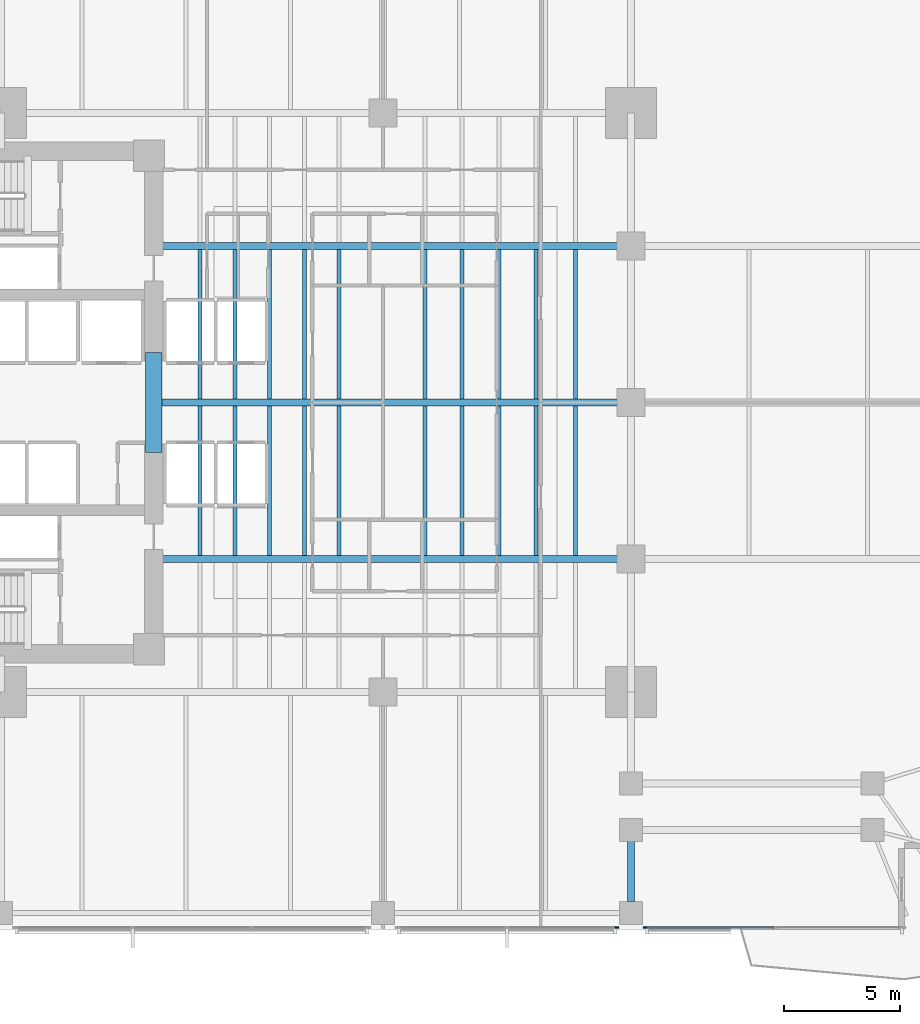
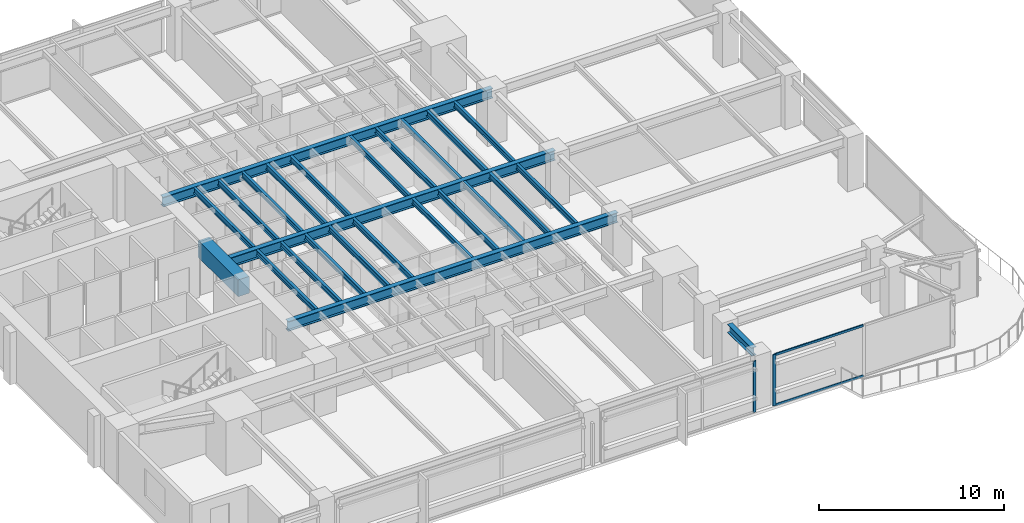
# One storey, part 3 of 15: 25 beams, 4 members, 2 elements without a shape of their own.
"""IFC4 building model written with IfcOpenShell, lengths in metres."""

from ifc_helpers import new_model, si_unit, direction, frame, origin, origin_2d, place, context, subcontext, project, spatial, rectangle, i_section, extrude, material, layer, layer_set, material_profile, profile_set, type_object, element, aggregate, save


model = new_model("IFC4")

# Units and contexts
model_context = context("Model", 3, precision=1e-05, world=origin(), true_north=direction((0.0, 1.0)))
body_context = subcontext(model_context, "Body", "Model", "MODEL_VIEW")
ifc_project = project(units=[si_unit("LENGTHUNIT", "METRE"), si_unit("AREAUNIT", "SQUARE_METRE"), si_unit("VOLUMEUNIT", "CUBIC_METRE"), si_unit("PLANEANGLEUNIT", "RADIAN"), si_unit("MASSUNIT", "GRAM", prefix="KILO")], contexts=[model_context])

# Site, building, storey
site_placement = place(None, origin())
site = spatial("IfcSite", under=ifc_project, at=site_placement, CompositionType="ELEMENT")
building_placement = place(site_placement, origin())
building = spatial("IfcBuilding", under=site, at=building_placement, Name="Kinhvarn Gate Tower", CompositionType="ELEMENT")
storey_placement = place(building_placement, frame((0.0, 0.0, 36.25)))
storey = spatial("IfcBuildingStorey", under=building, at=storey_placement, Name="L08", CompositionType="ELEMENT", Elevation=36.25)

# Beam
ifc_material_1 = material(Name="Concrete C70/85", Category="concrete")
ifc_material_profile_1 = material_profile(ifc_material_1, rectangle(XDim=0.699951171875, YDim=1.10009765625, at=origin_2d()), Name="RC 700x1100")
ifc_profile_set_1 = profile_set([ifc_material_profile_1], Name="Concrete C70/85")
beam_type_1 = type_object("IfcBeamType", Name="BM-CB-1100", PredefinedType="LINTEL", material=ifc_profile_set_1)
beam_1_placement = place(storey_placement, frame((17.60009765625, 23.10009765625, 2.820068359375), z_axis=(0.0, 1.0, 0.0), x_axis=(-1.0, 0.0, 0.0)))
element("IfcBeam", 1, at=beam_1_placement, inside=storey, type_object=beam_type_1, Name="Core East Portal Coupling Beam L08", PredefinedType="LINTEL", context=body_context, shape_type="SweptSolid", body=[
    extrude(rectangle(XDim=0.699951171875, YDim=1.10009765625, at=origin_2d()), origin(), (0.0, 0.0, 1.0), 4.2998046875),
])

# Curtain wall, member
ifc_material_2 = material(Name="Anodised aluminium AW-6063", Category="aluminium")
ifc_layer = layer(ifc_material_2, 0.179931640625)
ifc_layer_set = layer_set([ifc_layer], Name="Anodised aluminium AW-6063")
curtain_wall_type = type_object("IfcCurtainWallType", Name="CW-SYS-2", PredefinedType="NOTDEFINED", material=ifc_layer_set)
curtain_wall_1_placement = place(storey_placement, origin())
curtain_wall_1 = element("IfcCurtainWall", 2, at=curtain_wall_1_placement, inside=storey, type_object=curtain_wall_type, Name="Curtain Wall CW2 (L08)", PredefinedType="NOTDEFINED")
ifc_material_profile_2 = material_profile(ifc_material_2, rectangle(XDim=0.070068359375, YDim=0.179931640625, at=origin_2d()), Name="ALU 70x180")
ifc_profile_set_2 = profile_set([ifc_material_profile_2], Name="Anodised aluminium AW-6063")
member_type_1 = type_object("IfcMemberType", Name="CW-MUL-180", PredefinedType="MULLION", material=ifc_profile_set_2)
member_1_placement = place(storey_placement, frame((37.5849609375, 2.590087890625, 0.0), z_axis=(0.0, 0.0, 1.0), x_axis=(0.0, 1.0, 0.0)))
member_1 = element("IfcMember", 3, at=member_1_placement, type_object=member_type_1, Name="CW2 mullion 3", PredefinedType="MULLION", context=body_context, shape_type="SweptSolid", body=[
    extrude(rectangle(XDim=0.070068359375, YDim=0.179931640625, at=origin_2d()), origin(), (0.0, 0.0, 1.0), 3.3701171875),
])
aggregate(curtain_wall_1, [member_1])

# Curtain wall, members
curtain_wall_2_placement = place(storey_placement, origin())
curtain_wall_2 = element("IfcCurtainWall", 4, at=curtain_wall_2_placement, inside=storey, type_object=curtain_wall_type, Name="Curtain Wall CW2 (L08)", PredefinedType="NOTDEFINED")
member_2_placement = place(storey_placement, frame((38.81494140625, 2.590087890625, 0.0), z_axis=(0.0, 0.0, 1.0), x_axis=(0.0, 1.0, 0.0)))
member_2 = element("IfcMember", 5, at=member_2_placement, type_object=member_type_1, Name="CW2 mullion 1", PredefinedType="MULLION", context=body_context, shape_type="SweptSolid", body=[
    extrude(rectangle(XDim=0.070068359375, YDim=0.179931640625, at=origin_2d()), origin(), (0.0, 0.0, 1.0), 3.3701171875),
])
ifc_material_profile_3 = material_profile(ifc_material_2, rectangle(XDim=0.070068359375, YDim=0.139892578125, at=origin_2d()), Name="ALU 70x140")
ifc_profile_set_3 = profile_set([ifc_material_profile_3], Name="Anodised aluminium AW-6063")
member_type_2 = type_object("IfcMemberType", Name="CW-TRN-140", PredefinedType="USERDEFINED", material=ifc_profile_set_3)
member_3_placement = place(storey_placement, frame((38.85009765625, 2.590087890625, 0.034912109375), z_axis=(1.0, 0.0, 0.0), x_axis=(0.0, 1.0, 0.0)))
member_3 = element("IfcMember", 6, at=member_3_placement, type_object=member_type_2, Name="CW2 transom 1.1", ObjectType="TRANSOM", PredefinedType="USERDEFINED", context=body_context, shape_type="SweptSolid", body=[
    extrude(rectangle(XDim=0.070068359375, YDim=0.139892578125, at=origin_2d()), origin(), (0.0, 0.0, 1.0), 5.5048828125),
])
member_4_placement = place(storey_placement, frame((38.85009765625, 2.590087890625, 3.3349609375), z_axis=(1.0, 0.0, 0.0), x_axis=(0.0, 1.0, 0.0)))
member_4 = element("IfcMember", 7, at=member_4_placement, type_object=member_type_2, Name="CW2 transom 1.2", ObjectType="TRANSOM", PredefinedType="USERDEFINED", context=body_context, shape_type="SweptSolid", body=[
    extrude(rectangle(XDim=0.070068359375, YDim=0.139892578125, at=origin_2d()), origin(), (0.0, 0.0, 1.0), 5.5048828125),
])
aggregate(curtain_wall_2, [member_2, member_3, member_4])

# Beams
ifc_material_3 = material(Name="Steel S355", Category="steel")
ifc_material_profile_4 = material_profile(ifc_material_3, i_section(OverallWidth=0.300048828125, OverallDepth=0.550048828125, WebThickness=0.014892578125, FlangeThickness=0.029052734375, at=origin_2d()), Name="HEB 550")
ifc_profile_set_4 = profile_set([ifc_material_profile_4], Name="Steel S355")
beam_type_2 = type_object("IfcBeamType", Name="STL-HEB550", PredefinedType="BEAM", material=ifc_profile_set_4)
beam_2_placement = place(storey_placement, frame((38.199951171875, 3.705078125, 3.094970703125), z_axis=(0.0, 1.0, 0.0), x_axis=(-1.0, 0.0, 0.0)))
element("IfcBeam", 8, at=beam_2_placement, inside=storey, type_object=beam_type_2, Name="Floor Beam PG-15 (L08 MCE-S-A0)", PredefinedType="BEAM", context=body_context, shape_type="SweptSolid", body=[
    extrude(i_section(OverallWidth=0.300048828125, OverallDepth=0.550048828125, WebThickness=0.014892578125, FlangeThickness=0.029052734375, at=origin_2d()), origin(), (0.0, 0.0, 1.0), 2.60986328125),
])
ifc_material_profile_5 = material_profile(ifc_material_3, i_section(OverallWidth=0.300048828125, OverallDepth=0.64990234375, WebThickness=0.01611328125, FlangeThickness=0.031005859375, at=origin_2d()), Name="HEB 650")
ifc_profile_set_5 = profile_set([ifc_material_profile_5], Name="Steel S355")
beam_type_3 = type_object("IfcBeamType", Name="STL-HEB650", PredefinedType="BEAM", material=ifc_profile_set_5)
beam_3_placement = place(storey_placement, frame((17.64990234375, 18.5, 3.044921875), z_axis=(1.0, 0.0, 0.0), x_axis=(0.0, 1.0, 0.0)))
element("IfcBeam", 9, at=beam_3_placement, inside=storey, type_object=beam_type_3, Name="Floor Beam PG-17 (L08 EW1-Y18)", PredefinedType="BEAM", context=body_context, shape_type="SweptSolid", body=[
    extrude(i_section(OverallWidth=0.300048828125, OverallDepth=0.64990234375, WebThickness=0.01611328125, FlangeThickness=0.031005859375, at=origin_2d()), origin(), (0.0, 0.0, 1.0), 20.550048828125),
])
beam_4_placement = place(storey_placement, frame((17.949951171875, 25.25, 3.044921875), z_axis=(1.0, 0.0, 0.0), x_axis=(0.0, 1.0, 0.0)))
element("IfcBeam", 10, at=beam_4_placement, inside=storey, type_object=beam_type_3, Name="Floor Beam PG-17 (L08 EW1-Y25)", PredefinedType="BEAM", context=body_context, shape_type="SweptSolid", body=[
    extrude(i_section(OverallWidth=0.300048828125, OverallDepth=0.64990234375, WebThickness=0.01611328125, FlangeThickness=0.031005859375, at=origin_2d()), origin(), (0.0, 0.0, 1.0), 20.25),
])
beam_5_placement = place(storey_placement, frame((17.64990234375, 32.0, 3.044921875), z_axis=(1.0, 0.0, 0.0), x_axis=(0.0, 1.0, 0.0)))
element("IfcBeam", 11, at=beam_5_placement, inside=storey, type_object=beam_type_3, Name="Floor Beam PG-17 (L08 EW1-Y32)", PredefinedType="BEAM", context=body_context, shape_type="SweptSolid", body=[
    extrude(i_section(OverallWidth=0.300048828125, OverallDepth=0.64990234375, WebThickness=0.01611328125, FlangeThickness=0.031005859375, at=origin_2d()), origin(), (0.0, 0.0, 1.0), 20.550048828125),
])
ifc_material_profile_6 = material_profile(ifc_material_3, i_section(OverallWidth=0.169921875, OverallDepth=0.360107421875, WebThickness=0.008056640625, FlangeThickness=0.0126953125, at=origin_2d()), Name="IPE 360")
ifc_profile_set_6 = profile_set([ifc_material_profile_6], Name="Steel S355")
beam_type_4 = type_object("IfcBeamType", Name="STL-IPE360", PredefinedType="JOIST", material=ifc_profile_set_6)
for number, where, z_axis, x_axis, name in (
    (12, (19.60009765625, 18.64990234375, 3.18994140625), (0.0, 1.0, 0.0), (-1.0, 0.0, 0.0), "Floor Joist SB-04 (L08 JC-X196-1)"),
    (13, (19.60009765625, 25.39990234375, 3.18994140625), (0.0, 1.0, 0.0), (-1.0, 0.0, 0.0), "Floor Joist SB-04 (L08 JC-X196-2)"),
    (14, (21.10009765625, 18.64990234375, 3.18994140625), (0.0, 1.0, 0.0), (-1.0, 0.0, 0.0), "Floor Joist SB-04 (L08 JC-X211-1)"),
    (15, (21.10009765625, 25.39990234375, 3.18994140625), (0.0, 1.0, 0.0), (-1.0, 0.0, 0.0), "Floor Joist SB-04 (L08 JC-X211-2)"),
    (16, (22.60009765625, 18.64990234375, 3.18994140625), (0.0, 1.0, 0.0), (-1.0, 0.0, 0.0), "Floor Joist SB-04 (L08 JC-X226-1)"),
    (17, (22.60009765625, 25.39990234375, 3.18994140625), (0.0, 1.0, 0.0), (-1.0, 0.0, 0.0), "Floor Joist SB-04 (L08 JC-X226-2)"),
    (18, (24.10009765625, 18.64990234375, 3.18994140625), (0.0, 1.0, 0.0), (-1.0, 0.0, 0.0), "Floor Joist SB-04 (L08 JC-X241-1)"),
    (19, (24.10009765625, 25.39990234375, 3.18994140625), (0.0, 1.0, 0.0), (-1.0, 0.0, 0.0), "Floor Joist SB-04 (L08 JC-X241-2)"),
    (20, (25.60009765625, 18.64990234375, 3.18994140625), (0.0, 1.0, 0.0), (-1.0, 0.0, 0.0), "Floor Joist SB-04 (L08 JC-X256-1)"),
    (21, (25.60009765625, 25.39990234375, 3.18994140625), (0.0, 1.0, 0.0), (-1.0, 0.0, 0.0), "Floor Joist SB-04 (L08 JC-X256-2)"),
    (22, (29.300048828125, 18.64990234375, 3.18994140625), (0.0, 1.0, 0.0), (-1.0, 0.0, 0.0), "Floor Joist SB-04 (L08 JC-X293-1)"),
    (23, (29.300048828125, 25.39990234375, 3.18994140625), (0.0, 1.0, 0.0), (-1.0, 0.0, 0.0), "Floor Joist SB-04 (L08 JC-X293-2)"),
    (24, (30.89990234375, 18.64990234375, 3.18994140625), (0.0, 1.0, 0.0), (-1.0, 0.0, 0.0), "Floor Joist SB-04 (L08 JC-X309-1)"),
    (25, (30.89990234375, 25.39990234375, 3.18994140625), (0.0, 1.0, 0.0), (-1.0, 0.0, 0.0), "Floor Joist SB-04 (L08 JC-X309-2)"),
    (26, (32.5, 18.64990234375, 3.18994140625), (0.0, 1.0, 0.0), (-1.0, 0.0, 0.0), "Floor Joist SB-04 (L08 JC-X325-1)"),
    (27, (32.5, 25.39990234375, 3.18994140625), (0.0, 1.0, 0.0), (-1.0, 0.0, 0.0), "Floor Joist SB-04 (L08 JC-X325-2)"),
    (28, (34.10009765625, 18.64990234375, 3.18994140625), (0.0, 1.0, 0.0), (-1.0, 0.0, 0.0), "Floor Joist SB-04 (L08 JC-X341-1)"),
    (29, (34.10009765625, 25.39990234375, 3.18994140625), (0.0, 1.0, 0.0), (-1.0, 0.0, 0.0), "Floor Joist SB-04 (L08 JC-X341-2)"),
    (30, (35.800048828125, 18.64990234375, 3.18994140625), (0.0, 1.0, 0.0), (-1.0, 0.0, 0.0), "Floor Joist SB-04 (L08 JC-X358-1)"),
    (31, (35.800048828125, 25.39990234375, 3.18994140625), (0.0, 1.0, 0.0), (-1.0, 0.0, 0.0), "Floor Joist SB-04 (L08 JC-X358-2)"),
):
    element("IfcBeam", number, at=place(storey_placement, frame(where, z_axis=z_axis, x_axis=x_axis)), inside=storey, type_object=beam_type_4, Name=name, PredefinedType="JOIST", context=body_context, shape_type="SweptSolid", body=[
        extrude(i_section(OverallWidth=0.169921875, OverallDepth=0.360107421875, WebThickness=0.008056640625, FlangeThickness=0.0126953125, at=origin_2d()), origin(), (0.0, 0.0, 1.0), 6.4501953125),
    ])

save(model, "model.ifc")
